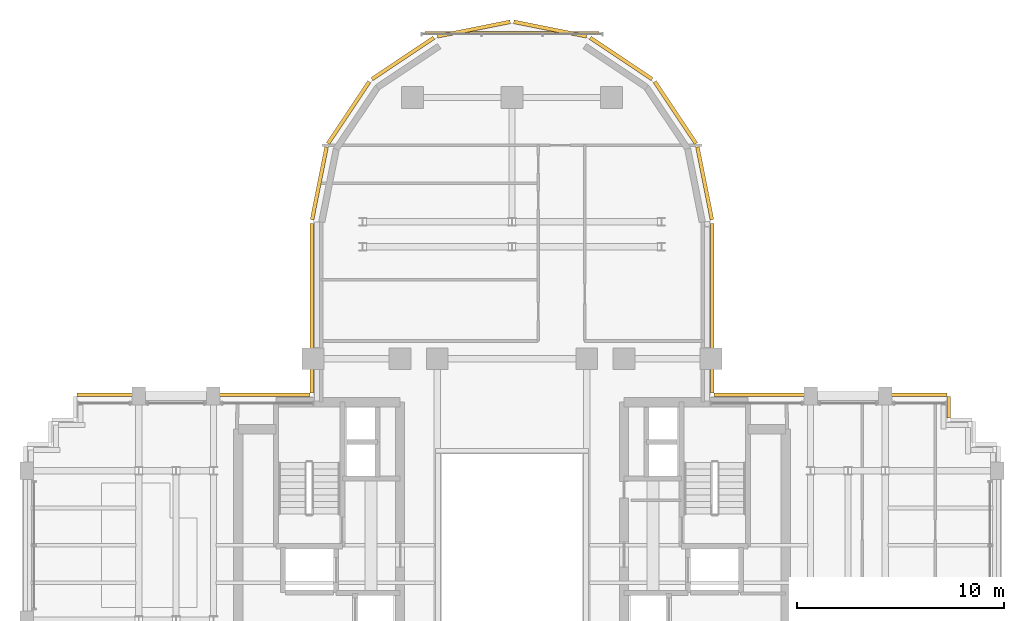
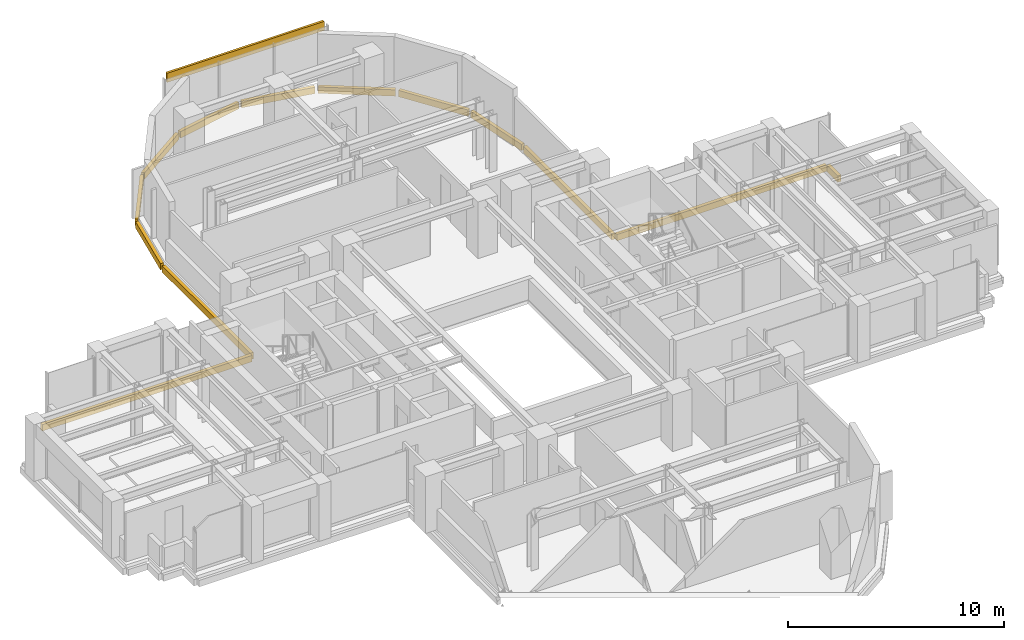
# One storey, part 13 of 13: 14 coverings.
"""IFC4 building model written with IfcOpenShell, lengths in metres."""

from ifc_helpers import new_model, si_unit, direction, frame, origin, origin_2d, place, context, subcontext, project, spatial, rectangle, extrude, source, transform, mapped, material, layer, layer_set, type_object, element, save


model = new_model("IFC4")

# Units and contexts
model_context = context("Model", 3, precision=1e-05, world=origin(), true_north=direction((0.0, 1.0)))
body_context = subcontext(model_context, "Body", "Model", "MODEL_VIEW")
ifc_project = project(units=[si_unit("LENGTHUNIT", "METRE"), si_unit("AREAUNIT", "SQUARE_METRE"), si_unit("VOLUMEUNIT", "CUBIC_METRE"), si_unit("PLANEANGLEUNIT", "RADIAN"), si_unit("MASSUNIT", "GRAM", prefix="KILO")], contexts=[model_context])

# Site, building, storey
site_placement = place(None, origin())
site = spatial("IfcSite", under=ifc_project, at=site_placement, CompositionType="ELEMENT")
building_placement = place(site_placement, origin())
building = spatial("IfcBuilding", under=site, at=building_placement, Name="Keilestroom Media Tower", CompositionType="ELEMENT")
storey_placement = place(building_placement, frame((0.0, 0.0, 131.199951171875)))
storey = spatial("IfcBuildingStorey", under=building, at=storey_placement, Name="L35", CompositionType="ELEMENT", Elevation=131.199951171875)

# Coverings
ifc_material = material(Name="Precast concrete C40/50", Category="concrete")
ifc_layer = layer(ifc_material, 0.1201171875)
ifc_layer_set = layer_set([ifc_layer], Name="Precast concrete C40/50")
covering_type = type_object("IfcCoveringType", Name="Exterior-Precast-Spandrel-Cladding-Panel-120", PredefinedType="CLADDING", material=ifc_layer_set)
shared_shape_1 = source(origin(), body_context, "Body", "SweptSolid", [
    extrude(rectangle(XDim=8.39990234375, YDim=0.1201171875, at=origin_2d()), origin(), (0.0, 0.0, 1.0), 0.52001953125),
])
covering_1_placement = place(storey_placement, frame((0.0, 24.719970703125, 2.68994140625), z_axis=(0.0, 0.0, 1.0), x_axis=(1.0, 0.0, 0.0)))
element("IfcCovering", 1, at=covering_1_placement, inside=storey, type_object=covering_type, Name="L35 Precast Spandrel Cladding N", PredefinedType="CLADDING", context=body_context, shape_type="MappedRepresentation", body=[
    mapped(shared_shape_1, transform((0.0, 0.0, 0.0), x_axis=(1.0, 0.0, 0.0), y_axis=(0.0, 1.0, 0.0), z_axis=(0.0, 0.0, 1.0), scale=1.0)),
])
shared_shape_2 = source(origin(), body_context, "Body", "SweptSolid", [
    extrude(rectangle(XDim=1.02001953125, YDim=0.179931640625, at=origin_2d()), origin(), (0.0, 0.0, 1.0), 0.360107421875),
])
covering_2_placement = place(storey_placement, frame((21.06005859375, 6.659912109375, -0.5400390625), z_axis=(0.0, 0.0, 1.0), x_axis=(0.0, -1.0, 0.0)))
element("IfcCovering", 2, at=covering_2_placement, inside=storey, type_object=covering_type, Name="L35 Precast Slab-Edge Fascia Cornice 38", PredefinedType="CLADDING", context=body_context, shape_type="MappedRepresentation", body=[
    mapped(shared_shape_2, transform((0.0, 0.0, 0.0), x_axis=(1.0, 0.0, 0.0), y_axis=(0.0, 1.0, 0.0), z_axis=(0.0, 0.0, 1.0), scale=1.0)),
])
shared_shape_3 = source(origin(), body_context, "Body", "SweptSolid", [
    extrude(rectangle(XDim=8.166015625, YDim=0.179931640625, at=origin_2d()), origin(), (0.0, 0.0, 1.0), 0.360107421875),
])
for number, where, z_axis, x_axis, name in (
    (3, (-9.659912109375, 11.43310546875, -0.5400390625), (0.0, 0.0, 1.0), (0.0, 1.0, 0.0), "L35 Precast Slab-Edge Fascia Cornice 27"),
    (4, (9.659912109375, 11.43310546875, -0.5400390625), (0.0, 0.0, 1.0), (0.0, -1.0, 0.0), "L35 Precast Slab-Edge Fascia Cornice 36"),
):
    element("IfcCovering", number, at=place(storey_placement, frame(where, z_axis=z_axis, x_axis=x_axis)), inside=storey, type_object=covering_type, Name=name, PredefinedType="CLADDING", context=body_context, shape_type="MappedRepresentation", body=[
        mapped(shared_shape_3, transform((0.0, 0.0, 0.0), x_axis=(1.0, 0.0, 0.0), y_axis=(0.0, 1.0, 0.0), z_axis=(0.0, 0.0, 1.0), scale=1.0)),
    ])
shared_shape_4 = source(origin(), body_context, "Body", "SweptSolid", [
    extrude(rectangle(XDim=3.58349609375, YDim=0.179931640625, at=origin_2d()), origin(), (0.0, 0.0, 1.0), 0.360107421875),
])
for number, where, z_axis, x_axis, name in (
    (5, (-9.29296875, 17.45166015625, -0.5400390625), (0.0, 0.0, 1.0), (0.195098880975, 0.980783577882, 0.0), "L35 Precast Slab-Edge Fascia Cornice 28"),
    (6, (9.29296875, 17.45166015625, -0.5400390625), (0.0, 0.0, 1.0), (0.195098880975, -0.980783577882, 0.0), "L35 Precast Slab-Edge Fascia Cornice 35"),
):
    element("IfcCovering", number, at=place(storey_placement, frame(where, z_axis=z_axis, x_axis=x_axis)), inside=storey, type_object=covering_type, Name=name, PredefinedType="CLADDING", context=body_context, shape_type="MappedRepresentation", body=[
        mapped(shared_shape_4, transform((0.0, 0.0, 0.0), x_axis=(1.0, 0.0, 0.0), y_axis=(0.0, 1.0, 0.0), z_axis=(0.0, 0.0, 1.0), scale=1.0)),
    ])
shared_shape_5 = source(origin(), body_context, "Body", "SweptSolid", [
    extrude(rectangle(XDim=3.589599609375, YDim=0.179931640625, at=origin_2d()), origin(), (0.0, 0.0, 1.0), 0.360107421875),
])
for number, where, z_axis, x_axis, name in (
    (7, (-7.878662109375, 20.8642578125, -0.5400390625), (0.0, 0.0, 1.0), (0.555574586577, 0.831466703332, 0.0), "L35 Precast Slab-Edge Fascia Cornice 29"),
    (8, (-5.264404296875, 23.478515625, -0.5400390625), (0.0, 0.0, 1.0), (0.831466703332, 0.555574586577, 0.0), "L35 Precast Slab-Edge Fascia Cornice 30"),
    (9, (-1.8486328125, 24.893310546875, -0.5400390625), (0.0, 0.0, 1.0), (0.980783577882, 0.195098880975, 0.0), "L35 Precast Slab-Edge Fascia Cornice 31"),
    (10, (1.8486328125, 24.893310546875, -0.5400390625), (0.0, 0.0, 1.0), (0.980783577882, -0.195098880975, 0.0), "L35 Precast Slab-Edge Fascia Cornice 32"),
    (11, (5.264404296875, 23.478515625, -0.5400390625), (0.0, 0.0, 1.0), (0.831466703332, -0.555574586577, 0.0), "L35 Precast Slab-Edge Fascia Cornice 33"),
    (12, (7.878662109375, 20.8642578125, -0.5400390625), (0.0, 0.0, 1.0), (0.555574586577, -0.831466703332, 0.0), "L35 Precast Slab-Edge Fascia Cornice 34"),
):
    element("IfcCovering", number, at=place(storey_placement, frame(where, z_axis=z_axis, x_axis=x_axis)), inside=storey, type_object=covering_type, Name=name, PredefinedType="CLADDING", context=body_context, shape_type="MappedRepresentation", body=[
        mapped(shared_shape_5, transform((0.0, 0.0, 0.0), x_axis=(1.0, 0.0, 0.0), y_axis=(0.0, 1.0, 0.0), z_axis=(0.0, 0.0, 1.0), scale=1.0)),
    ])
shared_shape_6 = source(origin(), body_context, "Body", "SweptSolid", [
    extrude(rectangle(XDim=11.219970703125, YDim=0.179931640625, at=origin_2d()), origin(), (0.0, 0.0, 1.0), 0.360107421875),
])
for number, where, z_axis, x_axis, name in (
    (13, (-15.360107421875, 7.260009765625, -0.5400390625), (0.0, 0.0, 1.0), (1.0, 0.0, 0.0), "L35 Precast Slab-Edge Fascia Cornice 26"),
    (14, (15.360107421875, 7.260009765625, -0.5400390625), (0.0, 0.0, 1.0), (1.0, 0.0, 0.0), "L35 Precast Slab-Edge Fascia Cornice 37"),
):
    element("IfcCovering", number, at=place(storey_placement, frame(where, z_axis=z_axis, x_axis=x_axis)), inside=storey, type_object=covering_type, Name=name, PredefinedType="CLADDING", context=body_context, shape_type="MappedRepresentation", body=[
        mapped(shared_shape_6, transform((0.0, 0.0, 0.0), x_axis=(1.0, 0.0, 0.0), y_axis=(0.0, 1.0, 0.0), z_axis=(0.0, 0.0, 1.0), scale=1.0)),
    ])

save(model, "model.ifc")
